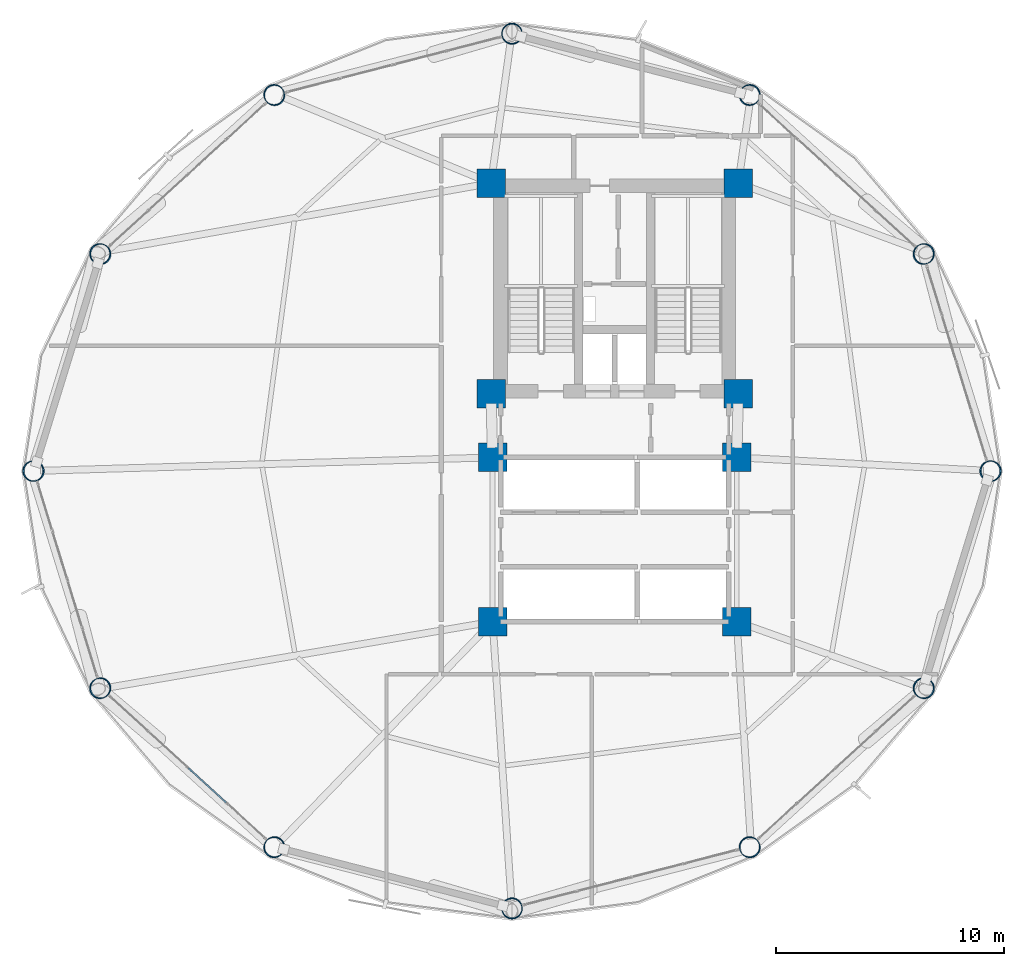
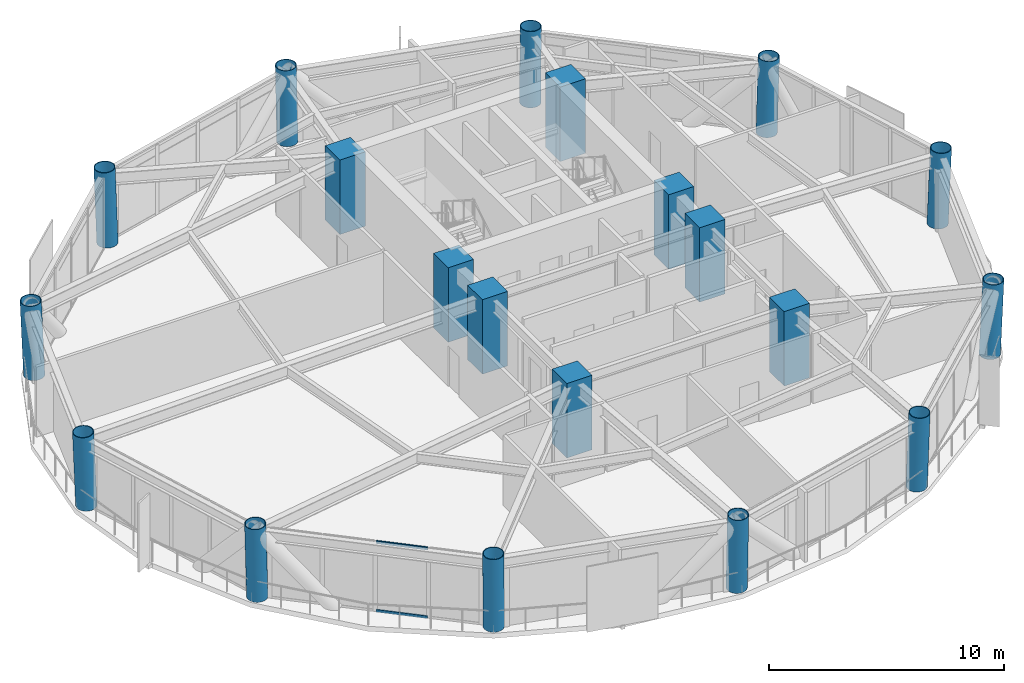
# One storey, part 1 of 26: 20 columns, 2 members, 1 element without a shape of its own.
"""IFC4 building model written with IfcOpenShell, lengths in metres."""

from ifc_helpers import new_model, si_unit, direction, frame, origin, origin_2d, place, context, subcontext, project, spatial, rectangle, hollow_rectangle, hollow_circle, extrude, material, layer, layer_set, material_profile, profile_set, type_object, element, aggregate, save


model = new_model("IFC4")

# Units and contexts
model_context = context("Model", 3, precision=1e-05, world=origin(), true_north=direction((0.0, 1.0)))
body_context = subcontext(model_context, "Body", "Model", "MODEL_VIEW")
ifc_project = project(units=[si_unit("LENGTHUNIT", "METRE"), si_unit("AREAUNIT", "SQUARE_METRE"), si_unit("VOLUMEUNIT", "CUBIC_METRE"), si_unit("PLANEANGLEUNIT", "RADIAN"), si_unit("MASSUNIT", "GRAM", prefix="KILO")], contexts=[model_context])

# Site, building, storey
site_placement = place(None, origin())
site = spatial("IfcSite", under=ifc_project, at=site_placement, CompositionType="ELEMENT")
building_placement = place(site_placement, origin())
building = spatial("IfcBuilding", under=site, at=building_placement, Name="Varnakorn Sky Granary", CompositionType="ELEMENT")
storey_placement = place(building_placement, frame((0.0, 0.0, 47.10009765625)))
storey = spatial("IfcBuildingStorey", under=building, at=storey_placement, Name="L11", CompositionType="ELEMENT", Elevation=47.10009765625)

# Columns
ifc_material_1 = material(Name="Steel S460M", Category="steel")
ifc_material_profile_1 = material_profile(ifc_material_1, hollow_circle(Radius=0.45703125, WallThickness=0.031982421875, at=origin_2d()), Name="CHS 914x32")
ifc_profile_set_1 = profile_set([ifc_material_profile_1], Name="Steel S460M")
column_type_1 = type_object("IfcColumnType", Name="COL-DC-Z1", PredefinedType="COLUMN", material=ifc_profile_set_1)
column_1_placement = place(storey_placement, frame((19.449951171875, 0.0, 0.0), z_axis=(0.040729783151, 0.0, 0.999170198097), x_axis=(0.0, 1.0, 0.0)))
element("IfcColumn", 1, at=column_1_placement, inside=storey, type_object=column_type_1, Name="Drum Perimeter Column DC01 L11", PredefinedType="COLUMN", context=body_context, shape_type="SweptSolid", body=[
    extrude(hollow_circle(Radius=0.45703125, WallThickness=0.031982421875, at=origin_2d()), origin(), (0.0, 0.0, 1.0), 3.878173828125),
])
column_2_placement = place(storey_placement, frame((16.5263671875, 9.507568359375, 0.0), z_axis=(0.035255880362, 0.015865146163, 0.999252380551), x_axis=(-0.410364677329, 0.911921505175, 0.0)))
element("IfcColumn", 2, at=column_2_placement, inside=storey, type_object=column_type_1, Name="Drum Perimeter Column DC02 L11", PredefinedType="COLUMN", context=body_context, shape_type="SweptSolid", body=[
    extrude(hollow_circle(Radius=0.45703125, WallThickness=0.031982421875, at=origin_2d()), origin(), (0.0, 0.0, 1.0), 3.8779296875),
])
column_3_placement = place(storey_placement, frame((8.907470703125, 16.467529296875, 0.0), z_axis=(0.020401361986, 0.027453684647, 0.999414868625), x_axis=(-0.802643123114, 0.596459568553, 0.0)))
element("IfcColumn", 3, at=column_3_placement, inside=storey, type_object=column_type_1, Name="Drum Perimeter Column DC03 L11", PredefinedType="COLUMN", context=body_context, shape_type="SweptSolid", body=[
    extrude(hollow_circle(Radius=0.45703125, WallThickness=0.031982421875, at=origin_2d()), origin(), (0.0, 0.0, 1.0), 3.877197265625),
])
column_4_placement = place(storey_placement, frame((-1.5, 19.14990234375, 0.0), z_axis=(0.0, 0.031738035264, 0.999496221662), x_axis=(-1.0, 0.0, 0.0)))
element("IfcColumn", 4, at=column_4_placement, inside=storey, type_object=column_type_1, Name="Drum Perimeter Column DC04 L11", PredefinedType="COLUMN", context=body_context, shape_type="SweptSolid", body=[
    extrude(hollow_circle(Radius=0.45703125, WallThickness=0.031982421875, at=origin_2d()), origin(), (0.0, 0.0, 1.0), 3.876953125),
])
column_5_placement = place(storey_placement, frame((-11.907470703125, 16.467529296875, 0.0), z_axis=(-0.020401361986, 0.027453684647, 0.999414868625), x_axis=(-0.802643123114, -0.596459568553, 0.0)))
element("IfcColumn", 5, at=column_5_placement, inside=storey, type_object=column_type_1, Name="Drum Perimeter Column DC05 L11", PredefinedType="COLUMN", context=body_context, shape_type="SweptSolid", body=[
    extrude(hollow_circle(Radius=0.45703125, WallThickness=0.031982421875, at=origin_2d()), origin(), (0.0, 0.0, 1.0), 3.877197265625),
])
column_6_placement = place(storey_placement, frame((-19.5263671875, 9.507568359375, 0.0), z_axis=(-0.035255880362, 0.015865146163, 0.999252380551), x_axis=(-0.410364677329, -0.911921505175, 0.0)))
element("IfcColumn", 6, at=column_6_placement, inside=storey, type_object=column_type_1, Name="Drum Perimeter Column DC06 L11", PredefinedType="COLUMN", context=body_context, shape_type="SweptSolid", body=[
    extrude(hollow_circle(Radius=0.45703125, WallThickness=0.031982421875, at=origin_2d()), origin(), (0.0, 0.0, 1.0), 3.8779296875),
])
column_7_placement = place(storey_placement, frame((-22.449951171875, 0.0, 0.0), z_axis=(-0.040729783151, 0.0, 0.999170198097), x_axis=(0.0, -1.0, 0.0)))
element("IfcColumn", 7, at=column_7_placement, inside=storey, type_object=column_type_1, Name="Drum Perimeter Column DC07 L11", PredefinedType="COLUMN", context=body_context, shape_type="SweptSolid", body=[
    extrude(hollow_circle(Radius=0.45703125, WallThickness=0.031982421875, at=origin_2d()), origin(), (0.0, 0.0, 1.0), 3.878173828125),
])
column_8_placement = place(storey_placement, frame((-19.5263671875, -9.507568359375, 0.0), z_axis=(-0.035255880362, -0.015865146163, 0.999252380551), x_axis=(0.410364677329, -0.911921505175, 0.0)))
element("IfcColumn", 8, at=column_8_placement, inside=storey, type_object=column_type_1, Name="Drum Perimeter Column DC08 L11", PredefinedType="COLUMN", context=body_context, shape_type="SweptSolid", body=[
    extrude(hollow_circle(Radius=0.45703125, WallThickness=0.031982421875, at=origin_2d()), origin(), (0.0, 0.0, 1.0), 3.8779296875),
])
column_9_placement = place(storey_placement, frame((-11.907470703125, -16.467529296875, 0.0), z_axis=(-0.020401361986, -0.027453684647, 0.999414868625), x_axis=(0.802643123114, -0.596459568553, 0.0)))
element("IfcColumn", 9, at=column_9_placement, inside=storey, type_object=column_type_1, Name="Drum Perimeter Column DC09 L11", PredefinedType="COLUMN", context=body_context, shape_type="SweptSolid", body=[
    extrude(hollow_circle(Radius=0.45703125, WallThickness=0.031982421875, at=origin_2d()), origin(), (0.0, 0.0, 1.0), 3.877197265625),
])
column_10_placement = place(storey_placement, frame((-1.5, -19.14990234375, 0.0), z_axis=(0.0, -0.031738035264, 0.999496221662), x_axis=(1.0, 0.0, 0.0)))
element("IfcColumn", 10, at=column_10_placement, inside=storey, type_object=column_type_1, Name="Drum Perimeter Column DC10 L11", PredefinedType="COLUMN", context=body_context, shape_type="SweptSolid", body=[
    extrude(hollow_circle(Radius=0.45703125, WallThickness=0.031982421875, at=origin_2d()), origin(), (0.0, 0.0, 1.0), 3.876953125),
])
column_11_placement = place(storey_placement, frame((8.907470703125, -16.467529296875, 0.0), z_axis=(0.020401361986, -0.027453684647, 0.999414868625), x_axis=(0.802643123114, 0.596459568553, 0.0)))
element("IfcColumn", 11, at=column_11_placement, inside=storey, type_object=column_type_1, Name="Drum Perimeter Column DC11 L11", PredefinedType="COLUMN", context=body_context, shape_type="SweptSolid", body=[
    extrude(hollow_circle(Radius=0.45703125, WallThickness=0.031982421875, at=origin_2d()), origin(), (0.0, 0.0, 1.0), 3.877197265625),
])
column_12_placement = place(storey_placement, frame((16.5263671875, -9.507568359375, 0.0), z_axis=(0.035255880362, -0.015865146163, 0.999252380551), x_axis=(0.410364677329, 0.911921505175, 0.0)))
element("IfcColumn", 12, at=column_12_placement, inside=storey, type_object=column_type_1, Name="Drum Perimeter Column DC12 L11", PredefinedType="COLUMN", context=body_context, shape_type="SweptSolid", body=[
    extrude(hollow_circle(Radius=0.45703125, WallThickness=0.031982421875, at=origin_2d()), origin(), (0.0, 0.0, 1.0), 3.8779296875),
])
ifc_material_2 = material(Name="Concrete C60/75", Category="concrete")
ifc_material_profile_2 = material_profile(ifc_material_2, rectangle(XDim=1.25, YDim=1.25, at=origin_2d()), Name="RC 1250x1250")
ifc_profile_set_2 = profile_set([ifc_material_profile_2], Name="Concrete C60/75")
column_type_2 = type_object("IfcColumnType", Name="COL-MC-Z1", PredefinedType="COLUMN", material=ifc_profile_set_2)
for number, where, z_axis, x_axis, name in (
    (13, (-2.419921875, 12.6201171875, 0.0), (0.0, 0.0, 1.0), (1.0, 0.0, 0.0), "Backbone Mega-Column MC1 L11"),
    (14, (8.419921875, 12.6201171875, 0.0), (0.0, 0.0, 1.0), (1.0, 0.0, 0.0), "Backbone Mega-Column MC2 L11"),
    (15, (-2.419921875, 3.3798828125, 0.0), (0.0, 0.0, 1.0), (1.0, 0.0, 0.0), "Backbone Mega-Column MC3 L11"),
    (16, (8.419921875, 3.3798828125, 0.0), (0.0, 0.0, 1.0), (1.0, 0.0, 0.0), "Backbone Mega-Column MC4 L11"),
    (17, (-2.35009765625, 0.60009765625, 0.0), (0.0, 0.0, 1.0), (1.0, 0.0, 0.0), "Backbone Mega-Column MC5 L11"),
    (18, (8.35009765625, 0.60009765625, 0.0), (0.0, 0.0, 1.0), (1.0, 0.0, 0.0), "Backbone Mega-Column MC6 L11"),
    (19, (-2.35009765625, -6.60009765625, 0.0), (0.0, 0.0, 1.0), (1.0, 0.0, 0.0), "Backbone Mega-Column MC7 L11"),
    (20, (8.35009765625, -6.60009765625, 0.0), (0.0, 0.0, 1.0), (1.0, 0.0, 0.0), "Backbone Mega-Column MC8 L11"),
):
    element("IfcColumn", number, at=place(storey_placement, frame(where, z_axis=z_axis, x_axis=x_axis)), inside=storey, type_object=column_type_2, Name=name, PredefinedType="COLUMN", context=body_context, shape_type="SweptSolid", body=[
        extrude(rectangle(XDim=1.25, YDim=1.25, at=origin_2d()), origin(), (0.0, 0.0, 1.0), 3.875),
    ])

# Curtain wall, members
ifc_material_3 = material(Name="Anodised Bronze Aluminium Alloy 6063-T6", Category="aluminium")
ifc_layer = layer(ifc_material_3, 0.18994140625, Name="Anodised Bronze Aluminium Alloy 6063-T6")
ifc_layer_set = layer_set([ifc_layer], Name="Anodised Bronze Aluminium Alloy 6063-T6")
curtain_wall_type = type_object("IfcCurtainWallType", Name="CW-FRM-1", PredefinedType="USERDEFINED", material=ifc_layer_set)
curtain_wall_placement = place(storey_placement, origin())
curtain_wall = element("IfcCurtainWall", 21, at=curtain_wall_placement, inside=storey, type_object=curtain_wall_type, Name="Unitised Curtain Wall CW3 CW-L11-B08", ObjectType="CURTAIN WALL", PredefinedType="USERDEFINED")
ifc_material_profile_3 = material_profile(ifc_material_3, hollow_rectangle(XDim=0.070068359375, YDim=0.139892578125, WallThickness=0.00341796875, at=origin_2d()), Name="ALU TRAN 70x140")
ifc_profile_set_3 = profile_set([ifc_material_profile_3], Name="Anodised Bronze Aluminium Alloy 6063-T6")
member_type = type_object("IfcMemberType", Name="CW-FRM-1-TRAN", PredefinedType="USERDEFINED", material=ifc_profile_set_3)
member_1_placement = place(storey_placement, frame((-14.02880859375, -14.529541015625, 0.034912109375), z_axis=(-0.738318797887, 0.674451890565, 0.0), x_axis=(-0.674451890565, -0.738318797887, 0.0)))
member_1 = element("IfcMember", 22, at=member_1_placement, type_object=member_type, Name="CW3 transom 2.1", ObjectType="TRANSOM", PredefinedType="USERDEFINED", context=body_context, shape_type="SweptSolid", body=[
    extrude(hollow_rectangle(XDim=0.070068359375, YDim=0.139892578125, WallThickness=0.00341796875, at=origin_2d()), origin(), (0.0, 0.0, 1.0), 2.25146484375),
])
member_2_placement = place(storey_placement, frame((-14.02880859375, -14.529541015625, 3.60498046875), z_axis=(-0.738318797887, 0.674451890565, 0.0), x_axis=(-0.674451890565, -0.738318797887, 0.0)))
member_2 = element("IfcMember", 23, at=member_2_placement, type_object=member_type, Name="CW3 transom 2.2", ObjectType="TRANSOM", PredefinedType="USERDEFINED", context=body_context, shape_type="SweptSolid", body=[
    extrude(hollow_rectangle(XDim=0.070068359375, YDim=0.139892578125, WallThickness=0.00341796875, at=origin_2d()), origin(), (0.0, 0.0, 1.0), 2.25146484375),
])
aggregate(curtain_wall, [member_1, member_2])

save(model, "model.ifc")
